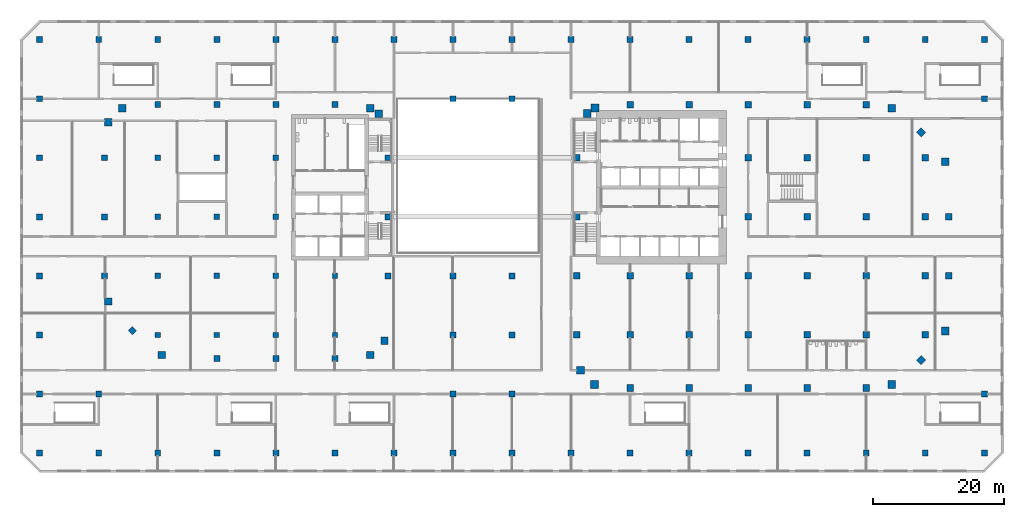
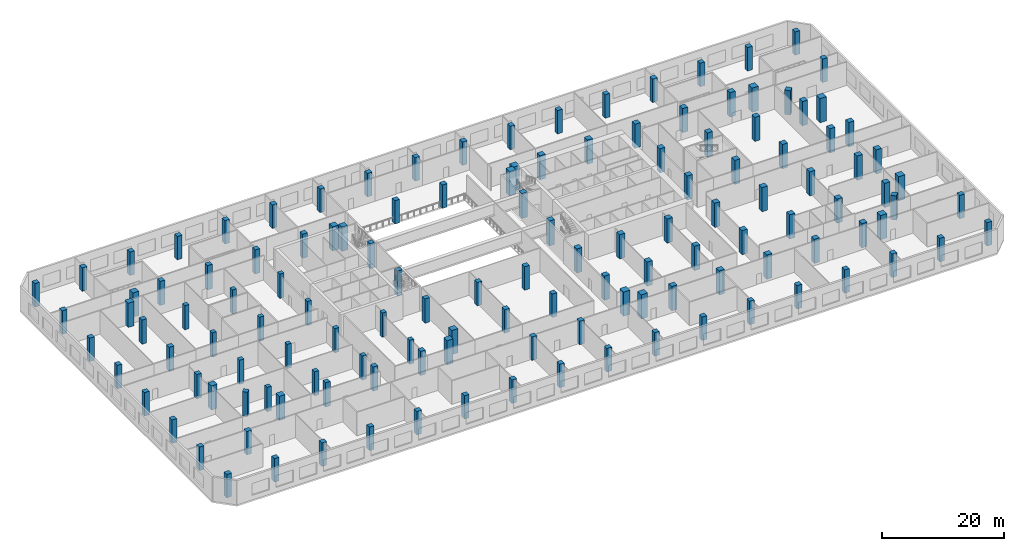
# One storey, part 1 of 20: 133 columns.
"""IFC4 building model written with IfcOpenShell, lengths in metres."""

from ifc_helpers import new_model, si_unit, direction, frame, origin, origin_2d, place, context, subcontext, project, spatial, rectangle, extrude, material, material_profile, profile_set, type_object, element, save


model = new_model("IFC4")

# Units and contexts
model_context = context("Model", 3, precision=1e-05, world=origin(), true_north=direction((0.0, 1.0)))
body_context = subcontext(model_context, "Body", "Model", "MODEL_VIEW")
ifc_project = project(units=[si_unit("LENGTHUNIT", "METRE"), si_unit("AREAUNIT", "SQUARE_METRE"), si_unit("VOLUMEUNIT", "CUBIC_METRE"), si_unit("PLANEANGLEUNIT", "RADIAN"), si_unit("MASSUNIT", "GRAM", prefix="KILO")], contexts=[model_context])

# Site, building, storey
site_placement = place(None, origin())
site = spatial("IfcSite", under=ifc_project, at=site_placement, CompositionType="ELEMENT")
building_placement = place(site_placement, origin())
building = spatial("IfcBuilding", under=site, at=building_placement, Name="Cinnabar Reach Civic Tower", CompositionType="ELEMENT")
storey_placement = place(building_placement, frame((0.0, 0.0, 21.0)))
storey = spatial("IfcBuildingStorey", under=building, at=storey_placement, Name="L04", CompositionType="ELEMENT", Elevation=21.0)

# Columns
ifc_material_1 = material(Name="Concrete C70", Category="concrete")
ifc_material_profile_1 = material_profile(ifc_material_1, rectangle(XDim=1.0, YDim=1.0, at=origin_2d()), Name="RC1000")
ifc_profile_set_1 = profile_set([ifc_material_profile_1], Name="Concrete C70")
column_type_1 = type_object("IfcColumnType", Name="RC1000 column R 240", PredefinedType="COLUMN", material=ifc_profile_set_1)
for number, where, z_axis, x_axis, name in (
    (1, (9.0, 0.9, 0.0), (0.0, 0.0, 1.0), (1.0, 0.0, 0.0), "Column T1-Z1-F0-1"),
    (2, (18.0, 0.9, 0.0), (0.0, 0.0, 1.0), (1.0, 0.0, 0.0), "Column T1-Z1-F0-2"),
    (3, (27.0, 0.9, 0.0), (0.0, 0.0, 1.0), (1.0, 0.0, 0.0), "Column T1-Z1-F0-3"),
    (4, (36.0, 0.9, 0.0), (0.0, 0.0, 1.0), (1.0, 0.0, 0.0), "Column T1-Z1-F0-4"),
    (5, (45.0, 0.9, 0.0), (0.0, 0.0, 1.0), (1.0, 0.0, 0.0), "Column T1-Z1-F0-5"),
    (6, (53.3636, 5.1364, 0.0), (0.0, 0.0, 1.0), (0.707106781187, 0.707106781187, 0.0), "Column T1-Z1-F1-M"),
    (7, (57.6, 18.0, 0.0), (0.0, 0.0, 1.0), (1.0, 0.0, 0.0), "Column T1-Z1-F2-2"),
    (8, (57.6, 27.0, 0.0), (0.0, 0.0, 1.0), (1.0, 0.0, 0.0), "Column T1-Z1-F2-3"),
    (9, (53.3636, 39.8636, 0.0), (0.0, 0.0, 1.0), (0.707106781187, 0.707106781187, 0.0), "Column T1-Z1-F3-M"),
    (10, (9.0, 44.1, 0.0), (0.0, 0.0, 1.0), (1.0, 0.0, 0.0), "Column T1-Z1-F4-1"),
    (11, (18.0, 44.1, 0.0), (0.0, 0.0, 1.0), (1.0, 0.0, 0.0), "Column T1-Z1-F4-2"),
    (12, (27.0, 44.1, 0.0), (0.0, 0.0, 1.0), (1.0, 0.0, 0.0), "Column T1-Z1-F4-3"),
    (13, (36.0, 44.1, 0.0), (0.0, 0.0, 1.0), (1.0, 0.0, 0.0), "Column T1-Z1-F4-4"),
    (14, (45.0, 44.1, 0.0), (0.0, 0.0, 1.0), (1.0, 0.0, 0.0), "Column T1-Z1-F4-5"),
    (15, (0.9, 9.0, 0.0), (0.0, 0.0, 1.0), (1.0, 0.0, 0.0), "Column T1-Z1-F6-1"),
    (16, (0.9, 18.0, 0.0), (0.0, 0.0, 1.0), (1.0, 0.0, 0.0), "Column T1-Z1-F6-2"),
):
    element("IfcColumn", number, at=place(storey_placement, frame(where, z_axis=z_axis, x_axis=x_axis)), inside=storey, type_object=column_type_1, Name=name, PredefinedType="COLUMN", context=body_context, shape_type="SweptSolid", body=[
        extrude(rectangle(XDim=1.0, YDim=1.0, at=origin_2d()), origin(), (0.0, 0.0, 1.0), 4.85),
    ])
for number, where, z_axis, x_axis, name in (
    (17, (0.9, 27.0, 0.0), (0.0, 0.0, 1.0), (1.0, 0.0, 0.0), "Column T1-Z1-F6-3"),
    (18, (0.9, 36.0, 0.0), (0.0, 0.0, 1.0), (1.0, 0.0, 0.0), "Column T1-Z1-F6-4"),
):
    element("IfcColumn", number, at=place(storey_placement, frame(where, z_axis=z_axis, x_axis=x_axis)), inside=storey, type_object=column_type_1, Name=name, PredefinedType="COLUMN", context=body_context, shape_type="SweptSolid", body=[
        extrude(rectangle(XDim=1.0, YDim=1.0, at=origin_2d()), origin(), (0.0, 0.0, 1.0), 5.0),
    ])
for number, where, z_axis, x_axis, name in (
    (19, (9.0, 9.0, 0.0), (0.0, 0.0, 1.0), (1.0, 0.0, 0.0), "Column T1-Z1-I9_9"),
    (20, (9.0, 18.0, 0.0), (0.0, 0.0, 1.0), (1.0, 0.0, 0.0), "Column T1-Z1-I9_18"),
    (21, (18.0, 9.0, 0.0), (0.0, 0.0, 1.0), (1.0, 0.0, 0.0), "Column T1-Z1-I18_9"),
    (22, (18.0, 18.0, 0.0), (0.0, 0.0, 1.0), (1.0, 0.0, 0.0), "Column T1-Z1-I18_18"),
    (23, (27.0, 9.0, 0.0), (0.0, 0.0, 1.0), (1.0, 0.0, 0.0), "Column T1-Z1-I27_9"),
    (24, (27.0, 18.0, 0.0), (0.0, 0.0, 1.0), (1.0, 0.0, 0.0), "Column T1-Z1-I27_18"),
    (25, (27.0, 27.0, 0.0), (0.0, 0.0, 1.0), (1.0, 0.0, 0.0), "Column T1-Z1-I27_27"),
    (26, (27.0, 36.0, 0.0), (0.0, 0.0, 1.0), (1.0, 0.0, 0.0), "Column T1-Z1-I27_36"),
    (27, (36.0, 9.0, 0.0), (0.0, 0.0, 1.0), (1.0, 0.0, 0.0), "Column T1-Z1-I36_9"),
    (28, (36.0, 18.0, 0.0), (0.0, 0.0, 1.0), (1.0, 0.0, 0.0), "Column T1-Z1-I36_18"),
    (29, (36.0, 27.0, 0.0), (0.0, 0.0, 1.0), (1.0, 0.0, 0.0), "Column T1-Z1-I36_27"),
    (30, (36.0, 36.0, 0.0), (0.0, 0.0, 1.0), (1.0, 0.0, 0.0), "Column T1-Z1-I36_36"),
    (31, (45.0, 9.0, 0.0), (0.0, 0.0, 1.0), (1.0, 0.0, 0.0), "Column T1-Z1-I45_9"),
    (32, (45.0, 18.0, 0.0), (0.0, 0.0, 1.0), (1.0, 0.0, 0.0), "Column T1-Z1-I45_18"),
    (33, (45.0, 27.0, 0.0), (0.0, 0.0, 1.0), (1.0, 0.0, 0.0), "Column T1-Z1-I45_27"),
    (34, (45.0, 36.0, 0.0), (0.0, 0.0, 1.0), (1.0, 0.0, 0.0), "Column T1-Z1-I45_36"),
    (35, (54.0, 9.0, 0.0), (0.0, 0.0, 1.0), (1.0, 0.0, 0.0), "Column T1-Z1-I54_9"),
    (36, (54.0, 18.0, 0.0), (0.0, 0.0, 1.0), (1.0, 0.0, 0.0), "Column T1-Z1-I54_18"),
    (37, (54.0, 27.0, 0.0), (0.0, 0.0, 1.0), (1.0, 0.0, 0.0), "Column T1-Z1-I54_27"),
    (38, (54.0, 36.0, 0.0), (0.0, 0.0, 1.0), (1.0, 0.0, 0.0), "Column T1-Z1-I54_36"),
):
    element("IfcColumn", number, at=place(storey_placement, frame(where, z_axis=z_axis, x_axis=x_axis)), inside=storey, type_object=column_type_1, Name=name, PredefinedType="COLUMN", context=body_context, shape_type="SweptSolid", body=[
        extrude(rectangle(XDim=1.0, YDim=1.0, at=origin_2d()), origin(), (0.0, 0.0, 1.0), 4.85),
    ])
ifc_material_2 = material(Name="Concrete C80", Category="concrete")
ifc_material_profile_2 = material_profile(ifc_material_2, rectangle(XDim=1.1, YDim=1.1, at=origin_2d()), Name="RC1100")
ifc_profile_set_2 = profile_set([ifc_material_profile_2], Name="Concrete C80")
column_type_2 = type_object("IfcColumnType", Name="RC1100 column R 180", PredefinedType="COLUMN", material=ifc_profile_set_2)
for number, where, z_axis, x_axis, name in (
    (39, (-62.3981, 5.9531, 0.0), (0.0, 0.0, 1.0), (1.0, 0.0, 0.0), "Column T2-Z1-CC0"),
    (40, (-30.6019, 5.9531, 0.0), (0.0, 0.0, 1.0), (1.0, 0.0, 0.0), "Column T2-Z1-CC1"),
    (41, (-28.4531, 8.1019, 0.0), (0.0, 0.0, 1.0), (1.0, 0.0, 0.0), "Column T2-Z1-CC2"),
    (42, (-29.3131, 42.7, 0.0), (0.0, 0.0, 1.0), (1.0, 0.0, 0.0), "Column T2-Z1-CC3"),
    (43, (-30.6019, 43.5469, 0.0), (0.0, 0.0, 1.0), (1.0, 0.0, 0.0), "Column T2-Z1-CC4"),
    (44, (-68.3981, 43.5469, 0.0), (0.0, 0.0, 1.0), (1.0, 0.0, 0.0), "Column T2-Z1-CC5"),
    (45, (-70.5469, 41.3981, 0.0), (0.0, 0.0, 1.0), (1.0, 0.0, 0.0), "Column T2-Z1-CC6"),
    (46, (-70.5469, 14.1019, 0.0), (0.0, 0.0, 1.0), (1.0, 0.0, 0.0), "Column T2-Z1-CC7"),
):
    element("IfcColumn", number, at=place(storey_placement, frame(where, z_axis=z_axis, x_axis=x_axis)), inside=storey, type_object=column_type_2, Name=name, PredefinedType="COLUMN", context=body_context, shape_type="SweptSolid", body=[
        extrude(rectangle(XDim=1.1, YDim=1.1, at=origin_2d()), origin(), (0.0, 0.0, 1.0), 4.85),
    ])
ifc_material_profile_3 = material_profile(ifc_material_2, rectangle(XDim=1.2, YDim=1.2, at=origin_2d()), Name="RC1200")
ifc_profile_set_3 = profile_set([ifc_material_profile_3], Name="Concrete C80")
column_type_3 = type_object("IfcColumnType", Name="RC1200 column R 240", PredefinedType="COLUMN", material=ifc_profile_set_3)
for number, where, z_axis, x_axis, name in (
    (47, (3.6019, 1.4531, 0.0), (0.0, 0.0, 1.0), (1.0, 0.0, 0.0), "Column T1-Z1-CC0"),
    (48, (48.8981, 1.4531, 0.0), (0.0, 0.0, 1.0), (1.0, 0.0, 0.0), "Column T1-Z1-CC1"),
    (49, (57.0469, 9.6019, 0.0), (0.0, 0.0, 1.0), (1.0, 0.0, 0.0), "Column T1-Z1-CC2"),
    (50, (57.0469, 35.3981, 0.0), (0.0, 0.0, 1.0), (1.0, 0.0, 0.0), "Column T1-Z1-CC3"),
    (51, (48.8981, 43.5469, 0.0), (0.0, 0.0, 1.0), (1.0, 0.0, 0.0), "Column T1-Z1-CC4"),
    (52, (3.6666, 43.5737, 0.0), (0.0, 0.0, 1.0), (1.0, 0.0, 0.0), "Column T1-Z1-CC5"),
    (53, (2.4631, 42.75, 0.0), (0.0, 0.0, 1.0), (1.0, 0.0, 0.0), "Column T1-Z1-CC6"),
    (54, (1.4531, 3.6019, 0.0), (0.0, 0.0, 1.0), (1.0, 0.0, 0.0), "Column T1-Z1-CC7"),
):
    element("IfcColumn", number, at=place(storey_placement, frame(where, z_axis=z_axis, x_axis=x_axis)), inside=storey, type_object=column_type_3, Name=name, PredefinedType="COLUMN", context=body_context, shape_type="SweptSolid", body=[
        extrude(rectangle(XDim=1.2, YDim=1.2, at=origin_2d()), origin(), (0.0, 0.0, 1.0), 4.85),
    ])
ifc_material_3 = material(Name="Concrete C60", Category="concrete")
ifc_material_profile_4 = material_profile(ifc_material_3, rectangle(XDim=0.8, YDim=0.8, at=origin_2d()), Name="RC800")
ifc_profile_set_4 = profile_set([ifc_material_profile_4], Name="Concrete C60")
column_type_4 = type_object("IfcColumnType", Name="RC800 column R 180", PredefinedType="COLUMN", material=ifc_profile_set_4)
for number, where, z_axis, x_axis, name in (
    (55, (-63.0, 9.0, 0.0), (0.0, 0.0, 1.0), (1.0, 0.0, 0.0), "Column T2-Z1-I-63_9"),
    (56, (-63.0, 18.0, 0.0), (0.0, 0.0, 1.0), (1.0, 0.0, 0.0), "Column T2-Z1-I-63_18"),
    (57, (-63.0, 27.0, 0.0), (0.0, 0.0, 1.0), (1.0, 0.0, 0.0), "Column T2-Z1-I-63_27"),
    (58, (-63.0, 36.0, 0.0), (0.0, 0.0, 1.0), (1.0, 0.0, 0.0), "Column T2-Z1-I-63_36"),
    (59, (-54.0, 9.0, 0.0), (0.0, 0.0, 1.0), (1.0, 0.0, 0.0), "Column T2-Z1-I-54_9"),
    (60, (-54.0, 18.0, 0.0), (0.0, 0.0, 1.0), (1.0, 0.0, 0.0), "Column T2-Z1-I-54_18"),
    (61, (-54.0, 27.0, 0.0), (0.0, 0.0, 1.0), (1.0, 0.0, 0.0), "Column T2-Z1-I-54_27"),
    (62, (-54.0, 36.0, 0.0), (0.0, 0.0, 1.0), (1.0, 0.0, 0.0), "Column T2-Z1-I-54_36"),
    (63, (-45.0, 9.0, 0.0), (0.0, 0.0, 1.0), (1.0, 0.0, 0.0), "Column T2-Z1-I-45_9"),
    (64, (-45.0, 18.0, 0.0), (0.0, 0.0, 1.0), (1.0, 0.0, 0.0), "Column T2-Z1-I-45_18"),
    (65, (-45.0, 27.0, 0.0), (0.0, 0.0, 1.0), (1.0, 0.0, 0.0), "Column T2-Z1-I-45_27"),
    (66, (-45.0, 36.0, 0.0), (0.0, 0.0, 1.0), (1.0, 0.0, 0.0), "Column T2-Z1-I-45_36"),
    (67, (-36.0, 9.0, 0.0), (0.0, 0.0, 1.0), (1.0, 0.0, 0.0), "Column T2-Z1-I-36_9"),
    (68, (-36.0, 18.0, 0.0), (0.0, 0.0, 1.0), (1.0, 0.0, 0.0), "Column T2-Z1-I-36_18"),
):
    element("IfcColumn", number, at=place(storey_placement, frame(where, z_axis=z_axis, x_axis=x_axis)), inside=storey, type_object=column_type_4, Name=name, PredefinedType="COLUMN", context=body_context, shape_type="SweptSolid", body=[
        extrude(rectangle(XDim=0.8, YDim=0.8, at=origin_2d()), origin(), (0.0, 0.0, 1.0), 4.85),
    ])
ifc_material_profile_5 = material_profile(ifc_material_1, rectangle(XDim=0.9, YDim=0.9, at=origin_2d()), Name="RC900")
ifc_profile_set_5 = profile_set([ifc_material_profile_5], Name="Concrete C70")
column_type_5 = type_object("IfcColumnType", Name="RC900 column R 180", PredefinedType="COLUMN", material=ifc_profile_set_5)
for number, where, z_axis, x_axis, name in (
    (69, (-54.0, 5.4, 0.0), (0.0, 0.0, 1.0), (1.0, 0.0, 0.0), "Column T2-Z1-F0--6"),
    (70, (-45.0, 5.4, 0.0), (0.0, 0.0, 1.0), (1.0, 0.0, 0.0), "Column T2-Z1-F0--5"),
    (71, (-36.0, 5.4, 0.0), (0.0, 0.0, 1.0), (1.0, 0.0, 0.0), "Column T2-Z1-F0--4"),
    (72, (-27.9, 18.0, 0.0), (0.0, 0.0, 1.0), (1.0, 0.0, 0.0), "Column T2-Z1-F2-2"),
):
    element("IfcColumn", number, at=place(storey_placement, frame(where, z_axis=z_axis, x_axis=x_axis)), inside=storey, type_object=column_type_5, Name=name, PredefinedType="COLUMN", context=body_context, shape_type="SweptSolid", body=[
        extrude(rectangle(XDim=0.9, YDim=0.9, at=origin_2d()), origin(), (0.0, 0.0, 1.0), 4.85),
    ])
for number, where, z_axis, x_axis, name in (
    (73, (-27.9, 27.0, 0.0), (0.0, 0.0, 1.0), (1.0, 0.0, 0.0), "Column T2-Z1-F2-3"),
    (74, (-27.9, 36.0, 0.0), (0.0, 0.0, 1.0), (1.0, 0.0, 0.0), "Column T2-Z1-F2-4"),
):
    element("IfcColumn", number, at=place(storey_placement, frame(where, z_axis=z_axis, x_axis=x_axis)), inside=storey, type_object=column_type_5, Name=name, PredefinedType="COLUMN", context=body_context, shape_type="SweptSolid", body=[
        extrude(rectangle(XDim=0.9, YDim=0.9, at=origin_2d()), origin(), (0.0, 0.0, 1.0), 5.0),
    ])
for number, where, z_axis, x_axis, name in (
    (75, (-63.0, 44.1, 0.0), (0.0, 0.0, 1.0), (1.0, 0.0, 0.0), "Column T2-Z1-F4--7"),
    (76, (-54.0, 44.1, 0.0), (0.0, 0.0, 1.0), (1.0, 0.0, 0.0), "Column T2-Z1-F4--6"),
    (77, (-45.0, 44.1, 0.0), (0.0, 0.0, 1.0), (1.0, 0.0, 0.0), "Column T2-Z1-F4--5"),
    (78, (-36.0, 44.1, 0.0), (0.0, 0.0, 1.0), (1.0, 0.0, 0.0), "Column T2-Z1-F4--4"),
    (79, (-71.1, 18.0, 0.0), (0.0, 0.0, 1.0), (1.0, 0.0, 0.0), "Column T2-Z1-F6-2"),
    (80, (-71.1, 27.0, 0.0), (0.0, 0.0, 1.0), (1.0, 0.0, 0.0), "Column T2-Z1-F6-3"),
    (81, (-71.1, 36.0, 0.0), (0.0, 0.0, 1.0), (1.0, 0.0, 0.0), "Column T2-Z1-F6-4"),
    (82, (-66.8636, 9.6364, 0.0), (0.0, 0.0, 1.0), (0.707106781187, 0.707106781187, 0.0), "Column T2-Z1-F7-M"),
):
    element("IfcColumn", number, at=place(storey_placement, frame(where, z_axis=z_axis, x_axis=x_axis)), inside=storey, type_object=column_type_5, Name=name, PredefinedType="COLUMN", context=body_context, shape_type="SweptSolid", body=[
        extrude(rectangle(XDim=0.9, YDim=0.9, at=origin_2d()), origin(), (0.0, 0.0, 1.0), 4.85),
    ])
ifc_material_profile_6 = material_profile(ifc_material_1, rectangle(XDim=0.9, YDim=0.9, at=origin_2d()), Name="RC900")
ifc_profile_set_6 = profile_set([ifc_material_profile_6], Name="Concrete C70")
column_type_6 = type_object("IfcColumnType", Name="RC900 column R 240", PredefinedType="COLUMN", material=ifc_profile_set_6)
for number, where, z_axis, x_axis, name in (
    (83, (-81.0, -9.0, 0.0), (0.0, 0.0, 1.0), (1.0, 0.0, 0.0), "Column -81/-9 L04"),
    (84, (-81.0, 0.0, 0.0), (0.0, 0.0, 1.0), (1.0, 0.0, 0.0), "Column -81/0 L04"),
    (85, (-81.0, 9.0, 0.0), (0.0, 0.0, 1.0), (1.0, 0.0, 0.0), "Column -81/9 L04"),
    (86, (-81.0, 18.0, 0.0), (0.0, 0.0, 1.0), (1.0, 0.0, 0.0), "Column -81/18 L04"),
    (87, (-81.0, 27.0, 0.0), (0.0, 0.0, 1.0), (1.0, 0.0, 0.0), "Column -81/27 L04"),
    (88, (-81.0, 36.0, 0.0), (0.0, 0.0, 1.0), (1.0, 0.0, 0.0), "Column -81/36 L04"),
    (89, (-81.0, 45.0, 0.0), (0.0, 0.0, 1.0), (1.0, 0.0, 0.0), "Column -81/45 L04"),
    (90, (-81.0, 54.0, 0.0), (0.0, 0.0, 1.0), (1.0, 0.0, 0.0), "Column -81/54 L04"),
    (91, (-72.0, -9.0, 0.0), (0.0, 0.0, 1.0), (1.0, 0.0, 0.0), "Column -72/-9 L04"),
    (92, (-72.0, 0.0, 0.0), (0.0, 0.0, 1.0), (1.0, 0.0, 0.0), "Column -72/0 L04"),
    (93, (-72.0, 54.0, 0.0), (0.0, 0.0, 1.0), (1.0, 0.0, 0.0), "Column -72/54 L04"),
    (94, (-63.0, -9.0, 0.0), (0.0, 0.0, 1.0), (1.0, 0.0, 0.0), "Column -63/-9 L04"),
    (95, (-63.0, 54.0, 0.0), (0.0, 0.0, 1.0), (1.0, 0.0, 0.0), "Column -63/54 L04"),
    (96, (-54.0, -9.0, 0.0), (0.0, 0.0, 1.0), (1.0, 0.0, 0.0), "Column -54/-9 L04"),
    (97, (-54.0, 54.0, 0.0), (0.0, 0.0, 1.0), (1.0, 0.0, 0.0), "Column -54/54 L04"),
    (98, (-45.0, -9.0, 0.0), (0.0, 0.0, 1.0), (1.0, 0.0, 0.0), "Column -45/-9 L04"),
    (99, (-45.0, 54.0, 0.0), (0.0, 0.0, 1.0), (1.0, 0.0, 0.0), "Column -45/54 L04"),
    (100, (-36.0, -9.0, 0.0), (0.0, 0.0, 1.0), (1.0, 0.0, 0.0), "Column -36/-9 L04"),
    (101, (-36.0, 54.0, 0.0), (0.0, 0.0, 1.0), (1.0, 0.0, 0.0), "Column -36/54 L04"),
    (102, (-27.0, -9.0, 0.0), (0.0, 0.0, 1.0), (1.0, 0.0, 0.0), "Column -27/-9 L04"),
    (103, (-27.0, 54.0, 0.0), (0.0, 0.0, 1.0), (1.0, 0.0, 0.0), "Column -27/54 L04"),
    (104, (-18.0, -9.0, 0.0), (0.0, 0.0, 1.0), (1.0, 0.0, 0.0), "Column -18/-9 L04"),
    (105, (-18.0, 0.0, 0.0), (0.0, 0.0, 1.0), (1.0, 0.0, 0.0), "Column -18/0 L04"),
    (106, (-18.0, 9.0, 0.0), (0.0, 0.0, 1.0), (1.0, 0.0, 0.0), "Column -18/9 L04"),
    (107, (-18.0, 18.0, 0.0), (0.0, 0.0, 1.0), (1.0, 0.0, 0.0), "Column -18/18 L04"),
    (108, (-18.0, 45.0, 0.0), (0.0, 0.0, 1.0), (1.0, 0.0, 0.0), "Column -18/45 L04"),
    (109, (-18.0, 54.0, 0.0), (0.0, 0.0, 1.0), (1.0, 0.0, 0.0), "Column -18/54 L04"),
    (110, (-9.0, -9.0, 0.0), (0.0, 0.0, 1.0), (1.0, 0.0, 0.0), "Column -9/-9 L04"),
    (111, (-9.0, 0.0, 0.0), (0.0, 0.0, 1.0), (1.0, 0.0, 0.0), "Column -9/0 L04"),
    (112, (-9.0, 9.0, 0.0), (0.0, 0.0, 1.0), (1.0, 0.0, 0.0), "Column -9/9 L04"),
    (113, (-9.0, 18.0, 0.0), (0.0, 0.0, 1.0), (1.0, 0.0, 0.0), "Column -9/18 L04"),
    (114, (-9.0, 45.0, 0.0), (0.0, 0.0, 1.0), (1.0, 0.0, 0.0), "Column -9/45 L04"),
    (115, (-9.0, 54.0, 0.0), (0.0, 0.0, 1.0), (1.0, 0.0, 0.0), "Column -9/54 L04"),
    (116, (0.0, -9.0, 0.0), (0.0, 0.0, 1.0), (1.0, 0.0, 0.0), "Column 0/-9 L04"),
    (117, (0.0, 54.0, 0.0), (0.0, 0.0, 1.0), (1.0, 0.0, 0.0), "Column 0/54 L04"),
    (118, (9.0, -9.0, 0.0), (0.0, 0.0, 1.0), (1.0, 0.0, 0.0), "Column 9/-9 L04"),
    (119, (9.0, 54.0, 0.0), (0.0, 0.0, 1.0), (1.0, 0.0, 0.0), "Column 9/54 L04"),
    (120, (18.0, -9.0, 0.0), (0.0, 0.0, 1.0), (1.0, 0.0, 0.0), "Column 18/-9 L04"),
    (121, (18.0, 54.0, 0.0), (0.0, 0.0, 1.0), (1.0, 0.0, 0.0), "Column 18/54 L04"),
    (122, (27.0, -9.0, 0.0), (0.0, 0.0, 1.0), (1.0, 0.0, 0.0), "Column 27/-9 L04"),
    (123, (27.0, 54.0, 0.0), (0.0, 0.0, 1.0), (1.0, 0.0, 0.0), "Column 27/54 L04"),
    (124, (36.0, -9.0, 0.0), (0.0, 0.0, 1.0), (1.0, 0.0, 0.0), "Column 36/-9 L04"),
    (125, (36.0, 54.0, 0.0), (0.0, 0.0, 1.0), (1.0, 0.0, 0.0), "Column 36/54 L04"),
    (126, (45.0, -9.0, 0.0), (0.0, 0.0, 1.0), (1.0, 0.0, 0.0), "Column 45/-9 L04"),
    (127, (45.0, 54.0, 0.0), (0.0, 0.0, 1.0), (1.0, 0.0, 0.0), "Column 45/54 L04"),
    (128, (54.0, -9.0, 0.0), (0.0, 0.0, 1.0), (1.0, 0.0, 0.0), "Column 54/-9 L04"),
    (129, (54.0, 54.0, 0.0), (0.0, 0.0, 1.0), (1.0, 0.0, 0.0), "Column 54/54 L04"),
    (130, (63.0, -9.0, 0.0), (0.0, 0.0, 1.0), (1.0, 0.0, 0.0), "Column 63/-9 L04"),
    (131, (63.0, 0.0, 0.0), (0.0, 0.0, 1.0), (1.0, 0.0, 0.0), "Column 63/0 L04"),
    (132, (63.0, 45.0, 0.0), (0.0, 0.0, 1.0), (1.0, 0.0, 0.0), "Column 63/45 L04"),
    (133, (63.0, 54.0, 0.0), (0.0, 0.0, 1.0), (1.0, 0.0, 0.0), "Column 63/54 L04"),
):
    element("IfcColumn", number, at=place(storey_placement, frame(where, z_axis=z_axis, x_axis=x_axis)), inside=storey, type_object=column_type_6, Name=name, PredefinedType="COLUMN", context=body_context, shape_type="SweptSolid", body=[
        extrude(rectangle(XDim=0.9, YDim=0.9, at=origin_2d()), origin(), (0.0, 0.0, 1.0), 4.7),
    ])

save(model, "model.ifc")
